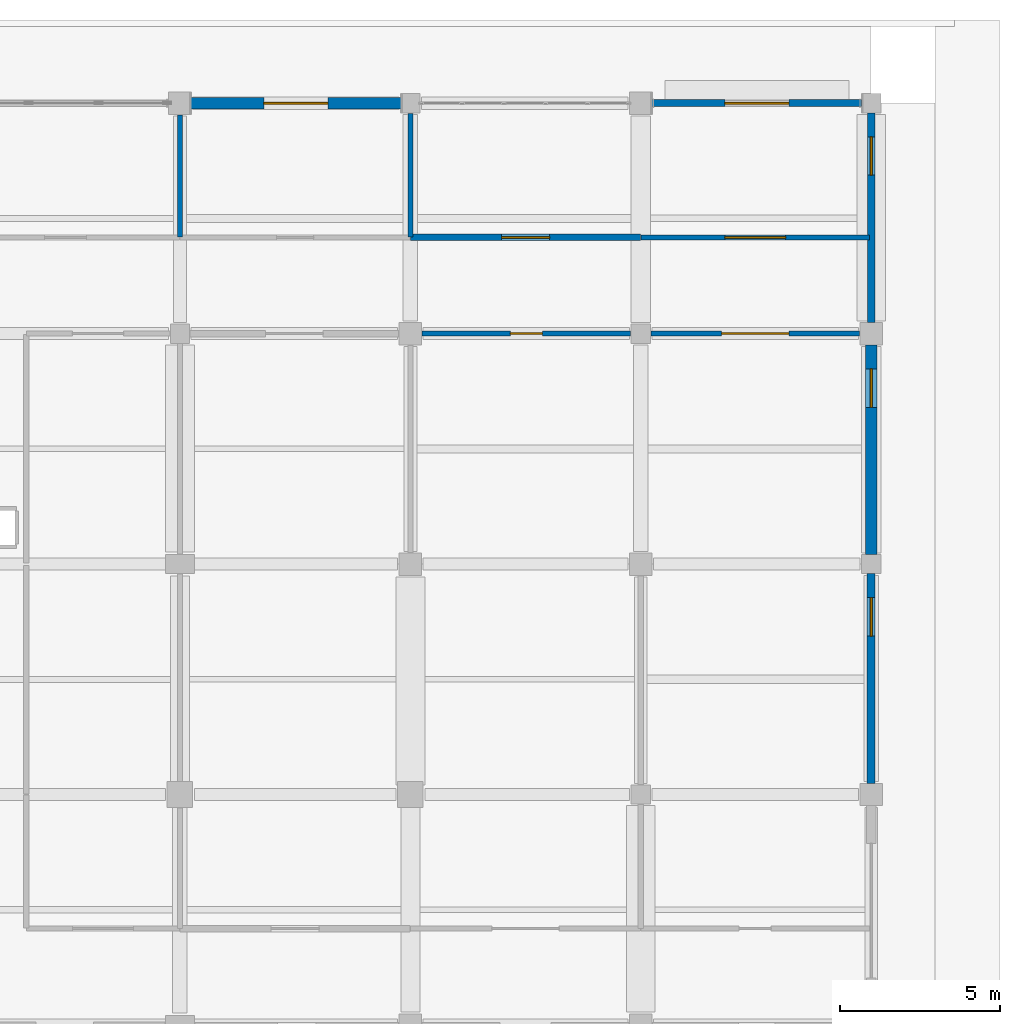
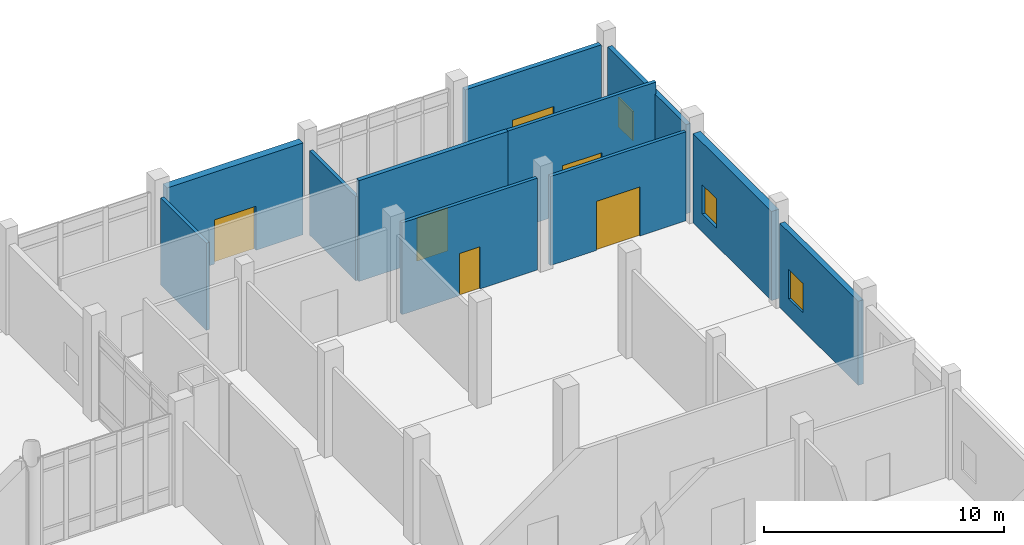
# One storey, part 202 of 229: 11 walls, 6 doors, 3 windows, 9 openings.
"""IFC4 building model written with IfcOpenShell, lengths in metres."""

from ifc_helpers import new_model, si_unit, direction, frame, frame_2d, origin, place, context, subcontext, project, spatial, rectangle, extrude, material, layer, layer_set, type_object, element, fill, save


model = new_model("IFC4")

# Units and contexts
model_context = context("Model", 3, precision=1e-05, world=origin(), true_north=direction((0.0, 1.0)))
body_context = subcontext(model_context, "Body", "Model", "MODEL_VIEW")
ifc_project = project(units=[si_unit("LENGTHUNIT", "METRE"), si_unit("AREAUNIT", "SQUARE_METRE"), si_unit("VOLUMEUNIT", "CUBIC_METRE"), si_unit("PLANEANGLEUNIT", "RADIAN"), si_unit("MASSUNIT", "GRAM", prefix="KILO")], contexts=[model_context])

# Site, building, storey
site_placement = place(None, origin())
site = spatial("IfcSite", under=ifc_project, at=site_placement, CompositionType="ELEMENT")
building_placement = place(site_placement, origin())
building = spatial("IfcBuilding", under=site, at=building_placement, Name="Calvrana Isthmian Art Gallery", CompositionType="ELEMENT")
storey_placement = place(building_placement, origin())
storey = spatial("IfcBuildingStorey", under=building, at=storey_placement, Name="L00", CompositionType="ELEMENT", Elevation=0.0)

# Wall, opening, door
ifc_material_1 = material(Name="Precast concrete C40/50", Category="concrete")
ifc_layer_1 = layer(ifc_material_1, 0.219970703125, Name="Precast concrete C40/50")
ifc_layer_set_1 = layer_set([ifc_layer_1], Name="Precast concrete C40/50")
wall_type_1 = type_object("IfcWallType", Name="EW-ACOUST-220", PredefinedType="SOLIDWALL", material=ifc_layer_set_1)
wall_1_placement = place(storey_placement, frame((156.35009765625, 112.800048828125, 0.0), z_axis=(0.0, 0.0, 1.0), x_axis=(1.0, 0.0, 0.0)))
wall_1 = element("IfcWall", 1, at=wall_1_placement, inside=storey, type_object=wall_type_1, Name="Exterior wall EW-027", PredefinedType="SOLIDWALL", context=body_context, shape_type="SweptSolid", body=[
    extrude(rectangle(XDim=6.5498046875, YDim=0.219970703125, at=frame_2d((3.27490234375, 0.0))), origin(), (0.0, 0.0, 1.0), 4.591064453125),
])
opening_1_placement = place(wall_1_placement, frame((2.27490234375, 0.0, 0.0)))
opening_1 = element("IfcOpeningElement", 2, at=opening_1_placement, cuts=wall_1, Name="Opening D-E18", PredefinedType="OPENING", context=body_context, shape_type="SweptSolid", body=[
    extrude(rectangle(XDim=2.0, YDim=2.25, at=frame_2d((1.0, 1.125))), frame((0.0, 0.1201171875, 0.0), z_axis=(0.0, -1.0, 0.0), x_axis=(1.0, 0.0, 0.0)), (0.0, 0.0, 1.0), 0.240478515625),
])
ifc_material_2 = material(Name="Steel ASTM A572 Gr 50", Category="steel")
door_type_1 = type_object("IfcDoorType", Name="DR-EXT-EXIT-2000", OperationType="DOUBLE_DOOR_SINGLE_SWING", PredefinedType="DOOR", material=ifc_material_2)
door_1_placement = place(opening_1_placement, origin())
door_1 = element("IfcDoor", 3, at=door_1_placement, inside=storey, type_object=door_type_1, Name="Main entrance pedestrian exit D-E18", OperationType="DOUBLE_DOOR_SINGLE_SWING", OverallHeight=2.25, OverallWidth=2.0, PredefinedType="DOOR", context=body_context, shape_type="SweptSolid", body=[
    extrude(rectangle(XDim=2.0, YDim=2.25, at=frame_2d((1.0, 1.125))), frame((0.0, 0.02490234375, 0.0), z_axis=(0.0, -1.0, 0.0), x_axis=(1.0, 0.0, 0.0)), (0.0, 0.0, 1.0), 0.050048828125),
])
fill(opening_1, door_1)

# Wall, opening, window
wall_2_placement = place(storey_placement, frame((163.199951171875, 112.5, 0.0), z_axis=(0.0, 0.0, 1.0), x_axis=(0.0, -1.0, 0.0)))
wall_2 = element("IfcWall", 4, at=wall_2_placement, inside=storey, type_object=wall_type_1, Name="Exterior wall EW-055", PredefinedType="SOLIDWALL", context=body_context, shape_type="SweptSolid", body=[
    extrude(rectangle(XDim=6.550048828125, YDim=0.219970703125, at=frame_2d((3.27490234375, 0.0))), origin(), (0.0, 0.0, 1.0), 4.5400390625),
])
opening_2_placement = place(wall_2_placement, frame((0.75, 0.0, 0.89990234375)))
opening_2 = element("IfcOpeningElement", 5, at=opening_2_placement, cuts=wall_2, Name="Opening W-023", PredefinedType="OPENING", context=body_context, shape_type="SweptSolid", body=[
    extrude(rectangle(XDim=1.199951171875, YDim=1.5, at=frame_2d((0.60009765625, 0.75))), frame((0.0, 0.1201171875, 0.0), z_axis=(0.0, -1.0, 0.0), x_axis=(1.0, 0.0, 0.0)), (0.0, 0.0, 1.0), 0.240478515625),
])
ifc_material_3 = material(Name="Low-E laminated solar glass", Category="glass")
window_type = type_object("IfcWindowType", Name="WN-G01", PartitioningType="SINGLE_PANEL", PredefinedType="WINDOW", material=ifc_material_3)
window_1_placement = place(opening_2_placement, origin())
window_1 = element("IfcWindow", 6, at=window_1_placement, inside=storey, type_object=window_type, Name="Facade window W-023", OverallHeight=1.5, OverallWidth=1.199951171875, PartitioningType="SINGLE_PANEL", PredefinedType="WINDOW", context=body_context, shape_type="SweptSolid", body=[
    extrude(rectangle(XDim=1.199951171875, YDim=1.5, at=frame_2d((0.60009765625, 0.75))), frame((0.0, 0.030029296875, 0.0), z_axis=(0.0, -1.0, 0.0), x_axis=(1.0, 0.0, 0.0)), (0.0, 0.0, 1.0), 0.06005859375),
])
fill(opening_2, window_1)

# Wall, opening, door
ifc_layer_2 = layer(ifc_material_1, 0.35009765625, Name="Precast concrete C40/50")
ifc_layer_set_2 = layer_set([ifc_layer_2], Name="Precast concrete C40/50")
wall_type_2 = type_object("IfcWallType", Name="EW-PREC-350", PredefinedType="SOLIDWALL", material=ifc_layer_set_2)
wall_3_placement = place(storey_placement, frame((141.949951171875, 112.800048828125, 0.0), z_axis=(0.0, 0.0, 1.0), x_axis=(1.0, 0.0, 0.0)))
wall_3 = element("IfcWall", 7, at=wall_3_placement, inside=storey, type_object=wall_type_2, Name="Exterior wall EW-026", PredefinedType="SOLIDWALL", context=body_context, shape_type="SweptSolid", body=[
    extrude(rectangle(XDim=6.550048828125, YDim=0.35009765625, at=frame_2d((3.27490234375, 0.0))), origin(), (0.0, 0.0, 1.0), 4.677978515625),
])
opening_3_placement = place(wall_3_placement, frame((2.27490234375, 0.0, 0.0)))
opening_3 = element("IfcOpeningElement", 8, at=opening_3_placement, cuts=wall_3, Name="Opening D-E17", PredefinedType="OPENING", context=body_context, shape_type="SweptSolid", body=[
    extrude(rectangle(XDim=2.0, YDim=2.25, at=frame_2d((1.0, 1.125))), frame((0.0, 0.185302734375, 0.0), z_axis=(0.0, -1.0, 0.0), x_axis=(1.0, 0.0, 0.0)), (0.0, 0.0, 1.0), 0.37060546875),
])
door_2_placement = place(opening_3_placement, origin())
door_2 = element("IfcDoor", 9, at=door_2_placement, inside=storey, type_object=door_type_1, Name="Main entrance pedestrian exit D-E17", OperationType="DOUBLE_DOOR_SINGLE_SWING", OverallHeight=2.25, OverallWidth=2.0, PredefinedType="DOOR", context=body_context, shape_type="SweptSolid", body=[
    extrude(rectangle(XDim=2.0, YDim=2.25, at=frame_2d((1.0, 1.125))), frame((0.0, 0.02490234375, 0.0), z_axis=(0.0, -1.0, 0.0), x_axis=(1.0, 0.0, 0.0)), (0.0, 0.0, 1.0), 0.050048828125),
])
fill(opening_3, door_2)

# Wall, opening, window
wall_4_placement = place(storey_placement, frame((163.199951171875, 105.25, 0.0), z_axis=(0.0, 0.0, 1.0), x_axis=(0.0, -1.0, 0.0)))
wall_4 = element("IfcWall", 10, at=wall_4_placement, inside=storey, type_object=wall_type_2, Name="Exterior wall EW-054", PredefinedType="SOLIDWALL", context=body_context, shape_type="SweptSolid", body=[
    extrude(rectangle(XDim=6.550048828125, YDim=0.35009765625, at=frame_2d((3.27490234375, 0.0))), origin(), (0.0, 0.0, 1.0), 4.5400390625),
])
opening_4_placement = place(wall_4_placement, frame((0.75, 0.0, 0.89990234375)))
opening_4 = element("IfcOpeningElement", 11, at=opening_4_placement, cuts=wall_4, Name="Opening W-022", PredefinedType="OPENING", context=body_context, shape_type="SweptSolid", body=[
    extrude(rectangle(XDim=1.199951171875, YDim=1.5, at=frame_2d((0.60009765625, 0.75))), frame((0.0, 0.185302734375, 0.0), z_axis=(0.0, -1.0, 0.0), x_axis=(1.0, 0.0, 0.0)), (0.0, 0.0, 1.0), 0.37060546875),
])
window_2_placement = place(opening_4_placement, origin())
window_2 = element("IfcWindow", 12, at=window_2_placement, inside=storey, type_object=window_type, Name="Facade window W-022", OverallHeight=1.5, OverallWidth=1.199951171875, PartitioningType="SINGLE_PANEL", PredefinedType="WINDOW", context=body_context, shape_type="SweptSolid", body=[
    extrude(rectangle(XDim=1.199951171875, YDim=1.5, at=frame_2d((0.60009765625, 0.75))), frame((0.0, 0.030029296875, 0.0), z_axis=(0.0, -1.0, 0.0), x_axis=(1.0, 0.0, 0.0)), (0.0, 0.0, 1.0), 0.06005859375),
])
fill(opening_4, window_2)

ifc_material_4 = material(Name="Polychrome glazed terracotta", Category="masonry")
ifc_layer_3 = layer(ifc_material_4, 0.25, Name="Polychrome glazed terracotta")
ifc_layer_set_3 = layer_set([ifc_layer_3], Name="Polychrome glazed terracotta")
wall_type_3 = type_object("IfcWallType", Name="EW-TERRA-250", PredefinedType="SOLIDWALL", material=ifc_layer_set_3)
wall_5_placement = place(storey_placement, frame((163.199951171875, 98.10009765625, 0.0), z_axis=(0.0, 0.0, 1.0), x_axis=(0.0, -1.0, 0.0)))
wall_5 = element("IfcWall", 13, at=wall_5_placement, inside=storey, type_object=wall_type_3, Name="Exterior wall EW-053", PredefinedType="SOLIDWALL", context=body_context, shape_type="SweptSolid", body=[
    extrude(rectangle(XDim=6.550048828125, YDim=0.25, at=frame_2d((3.27490234375, 0.0))), origin(), (0.0, 0.0, 1.0), 4.2900390625),
])
opening_5_placement = place(wall_5_placement, frame((0.75, 0.0, 0.89990234375)))
opening_5 = element("IfcOpeningElement", 14, at=opening_5_placement, cuts=wall_5, Name="Opening W-021", PredefinedType="OPENING", context=body_context, shape_type="SweptSolid", body=[
    extrude(rectangle(XDim=1.199951171875, YDim=1.5, at=frame_2d((0.60009765625, 0.75))), frame((0.0, 0.13525390625, 0.0), z_axis=(0.0, -1.0, 0.0), x_axis=(1.0, 0.0, 0.0)), (0.0, 0.0, 1.0), 0.2705078125),
])
window_3_placement = place(opening_5_placement, origin())
window_3 = element("IfcWindow", 15, at=window_3_placement, inside=storey, type_object=window_type, Name="Facade window W-021", OverallHeight=1.5, OverallWidth=1.199951171875, PartitioningType="SINGLE_PANEL", PredefinedType="WINDOW", context=body_context, shape_type="SweptSolid", body=[
    extrude(rectangle(XDim=1.199951171875, YDim=1.5, at=frame_2d((0.60009765625, 0.75))), frame((0.0, 0.030029296875, 0.0), z_axis=(0.0, -1.0, 0.0), x_axis=(1.0, 0.0, 0.0)), (0.0, 0.0, 1.0), 0.06005859375),
])
fill(opening_5, window_3)

# Wall, opening, door
ifc_material_5 = material(Name="Acoustic gypsum ceiling", Category="gypsum")
ifc_layer_4 = layer(ifc_material_5, 0.199951171875, Name="Acoustic gypsum ceiling")
ifc_layer_set_4 = layer_set([ifc_layer_4], Name="Acoustic gypsum ceiling")
wall_type_4 = type_object("IfcWallType", Name="PW-FIRE-200", PredefinedType="PARTITIONING", material=ifc_layer_set_4)
wall_6_placement = place(storey_placement, frame((148.81005859375, 108.610107421875, 0.0), z_axis=(0.0, 0.0, 1.0), x_axis=(1.0, 0.0, 0.0)))
wall_6 = element("IfcWall", 16, at=wall_6_placement, inside=storey, type_object=wall_type_4, Name="Interior partition PW-268", PredefinedType="PARTITIONING", context=body_context, shape_type="SweptSolid", body=[
    extrude(rectangle(XDim=7.179931640625, YDim=0.199951171875, at=frame_2d((3.58984375, 0.0))), origin(), (0.0, 0.0, 1.0), 5.139892578125),
])
opening_6_placement = place(wall_6_placement, frame((2.840087890625, 0.0, 0.0)))
opening_6 = element("IfcOpeningElement", 17, at=opening_6_placement, cuts=wall_6, Name="Opening D-328", PredefinedType="OPENING", context=body_context, shape_type="SweptSolid", body=[
    extrude(rectangle(XDim=1.5, YDim=2.199951171875, at=frame_2d((0.75, 1.10009765625))), frame((0.0, 0.1103515625, 0.0), z_axis=(0.0, -1.0, 0.0), x_axis=(1.0, 0.0, 0.0)), (0.0, 0.0, 1.0), 0.220458984375),
])
door_type_2 = type_object("IfcDoorType", Name="DR-STAIR-1500", OperationType="NOTDEFINED", PredefinedType="DOOR", material=ifc_material_2)
door_3_placement = place(opening_6_placement, origin())
door_3 = element("IfcDoor", 18, at=door_3_placement, inside=storey, type_object=door_type_2, Name="Interior door D-328", OperationType="SINGLE_SWING_RIGHT", OverallHeight=2.199951171875, OverallWidth=1.5, PredefinedType="DOOR", context=body_context, shape_type="SweptSolid", body=[
    extrude(rectangle(XDim=1.5, YDim=2.199951171875, at=frame_2d((0.75, 1.10009765625))), frame((0.0, 0.02490234375, 0.0), z_axis=(0.0, -1.0, 0.0), x_axis=(1.0, 0.0, 0.0)), (0.0, 0.0, 1.0), 0.050048828125),
])
fill(opening_6, door_3)

ifc_layer_5 = layer(ifc_material_5, 0.159912109375, Name="Acoustic gypsum ceiling")
ifc_layer_set_5 = layer_set([ifc_layer_5], Name="Acoustic gypsum ceiling")
wall_type_5 = type_object("IfcWallType", Name="PW-GAL-160", PredefinedType="PARTITIONING", material=ifc_layer_set_5)
wall_7_placement = place(storey_placement, frame((149.1650390625, 105.60009765625, 0.0), z_axis=(0.0, 0.0, 1.0), x_axis=(1.0, 0.0, 0.0)))
wall_7 = element("IfcWall", 19, at=wall_7_placement, inside=storey, type_object=wall_type_5, Name="Interior partition PW-262", PredefinedType="PARTITIONING", context=body_context, shape_type="SweptSolid", body=[
    extrude(rectangle(XDim=6.52001953125, YDim=0.159912109375, at=frame_2d((3.260009765625, 0.0))), origin(), (0.0, 0.0, 1.0), 4.677978515625),
])
opening_7_placement = place(wall_7_placement, frame((2.760009765625, 0.0, 0.0)))
opening_7 = element("IfcOpeningElement", 20, at=opening_7_placement, cuts=wall_7, Name="Opening D-324", PredefinedType="OPENING", context=body_context, shape_type="SweptSolid", body=[
    extrude(rectangle(XDim=1.0, YDim=2.14990234375, at=frame_2d((0.5, 1.074951171875))), frame((0.0, 0.09033203125, 0.0), z_axis=(0.0, -1.0, 0.0), x_axis=(1.0, 0.0, 0.0)), (0.0, 0.0, 1.0), 0.180419921875),
])
ifc_material_6 = material(Name="Timber gallery flooring", Category="wood")
door_type_3 = type_object("IfcDoorType", Name="DR-RM-1000", OperationType="NOTDEFINED", PredefinedType="DOOR", material=ifc_material_6)
door_4_placement = place(opening_7_placement, origin())
door_4 = element("IfcDoor", 21, at=door_4_placement, inside=storey, type_object=door_type_3, Name="Interior door D-324", OperationType="SINGLE_SWING_LEFT", OverallHeight=2.14990234375, OverallWidth=1.0, PredefinedType="DOOR", context=body_context, shape_type="SweptSolid", body=[
    extrude(rectangle(XDim=1.0, YDim=2.14990234375, at=frame_2d((0.5, 1.074951171875))), frame((0.0, 0.02490234375, 0.0), z_axis=(0.0, -1.0, 0.0), x_axis=(1.0, 0.0, 0.0)), (0.0, 0.0, 1.0), 0.050048828125),
])
fill(opening_7, door_4)

wall_8_placement = place(storey_placement, frame((156.31494140625, 105.60009765625, 0.0), z_axis=(0.0, 0.0, 1.0), x_axis=(1.0, 0.0, 0.0)))
wall_8 = element("IfcWall", 22, at=wall_8_placement, inside=storey, type_object=wall_type_5, Name="Interior partition PW-263", PredefinedType="PARTITIONING", context=body_context, shape_type="SweptSolid", body=[
    extrude(rectangle(XDim=6.52001953125, YDim=0.159912109375, at=frame_2d((3.260009765625, 0.0))), origin(), (0.0, 0.0, 1.0), 4.532958984375),
])
opening_8_placement = place(wall_8_placement, frame((2.2099609375, 0.0, 0.0)))
opening_8 = element("IfcOpeningElement", 23, at=opening_8_placement, cuts=wall_8, Name="Opening D-325", PredefinedType="OPENING", context=body_context, shape_type="SweptSolid", body=[
    extrude(rectangle(XDim=2.10009765625, YDim=2.5, at=frame_2d((1.050048828125, 1.25))), frame((0.0, 0.09033203125, 0.0), z_axis=(0.0, -1.0, 0.0), x_axis=(1.0, 0.0, 0.0)), (0.0, 0.0, 1.0), 0.180419921875),
])
door_type_4 = type_object("IfcDoorType", Name="DR-GAL-2100", OperationType="DOUBLE_DOOR_SINGLE_SWING", PredefinedType="DOOR", material=ifc_material_6)
door_5_placement = place(opening_8_placement, origin())
door_5 = element("IfcDoor", 24, at=door_5_placement, inside=storey, type_object=door_type_4, Name="Interior door D-325", OperationType="DOUBLE_DOOR_SINGLE_SWING", OverallHeight=2.5, OverallWidth=2.10009765625, PredefinedType="DOOR", context=body_context, shape_type="SweptSolid", body=[
    extrude(rectangle(XDim=2.10009765625, YDim=2.5, at=frame_2d((1.050048828125, 1.25))), frame((0.0, 0.02490234375, 0.0), z_axis=(0.0, -1.0, 0.0), x_axis=(1.0, 0.0, 0.0)), (0.0, 0.0, 1.0), 0.050048828125),
])
fill(opening_8, door_5)

# Walls
wall_9_placement = place(storey_placement, frame((141.60009765625, 108.6201171875, 0.0), z_axis=(0.0, 0.0, 1.0), x_axis=(0.0, 1.0, 0.0)))
element("IfcWall", 25, at=wall_9_placement, inside=storey, type_object=wall_type_5, Name="Interior partition PW-265", PredefinedType="PARTITIONING", context=body_context, shape_type="SweptSolid", body=[
    extrude(rectangle(XDim=3.81494140625, YDim=0.159912109375, at=frame_2d((1.907470703125, 0.0))), origin(), (0.0, 0.0, 1.0), 4.43994140625),
])
wall_10_placement = place(storey_placement, frame((148.800048828125, 108.6201171875, 0.0), z_axis=(0.0, 0.0, 1.0), x_axis=(0.0, 1.0, 0.0)))
element("IfcWall", 26, at=wall_10_placement, inside=storey, type_object=wall_type_5, Name="Interior partition PW-267", PredefinedType="PARTITIONING", context=body_context, shape_type="SweptSolid", body=[
    extrude(rectangle(XDim=3.864990234375, YDim=0.159912109375, at=frame_2d((1.9326171875, 0.0))), origin(), (0.0, 0.0, 1.0), 4.2900390625),
])

# Wall, opening, door
wall_11_placement = place(storey_placement, frame((156.010009765625, 108.610107421875, 0.0), z_axis=(0.0, 0.0, 1.0), x_axis=(1.0, 0.0, 0.0)))
wall_11 = element("IfcWall", 27, at=wall_11_placement, inside=storey, type_object=wall_type_5, Name="Interior partition PW-269", PredefinedType="PARTITIONING", context=body_context, shape_type="SweptSolid", body=[
    extrude(rectangle(XDim=7.1298828125, YDim=0.159912109375, at=frame_2d((3.56494140625, 0.0))), origin(), (0.0, 0.0, 1.0), 5.139892578125),
])
opening_9_placement = place(wall_11_placement, frame((2.614990234375, 0.0, 0.0)))
opening_9 = element("IfcOpeningElement", 28, at=opening_9_placement, cuts=wall_11, Name="Opening D-329", PredefinedType="OPENING", context=body_context, shape_type="SweptSolid", body=[
    extrude(rectangle(XDim=1.89990234375, YDim=2.449951171875, at=frame_2d((0.949951171875, 1.22509765625))), frame((0.0, 0.09033203125, 0.0), z_axis=(0.0, -1.0, 0.0), x_axis=(1.0, 0.0, 0.0)), (0.0, 0.0, 1.0), 0.180419921875),
])
door_type_5 = type_object("IfcDoorType", Name="DR-GAL-1900", OperationType="DOUBLE_DOOR_SINGLE_SWING", PredefinedType="DOOR", material=ifc_material_6)
door_6_placement = place(opening_9_placement, origin())
door_6 = element("IfcDoor", 29, at=door_6_placement, inside=storey, type_object=door_type_5, Name="Interior door D-329", OperationType="DOUBLE_DOOR_SINGLE_SWING", OverallHeight=2.449951171875, OverallWidth=1.89990234375, PredefinedType="DOOR", context=body_context, shape_type="SweptSolid", body=[
    extrude(rectangle(XDim=1.89990234375, YDim=2.449951171875, at=frame_2d((0.949951171875, 1.22509765625))), frame((0.0, 0.02490234375, 0.0), z_axis=(0.0, -1.0, 0.0), x_axis=(1.0, 0.0, 0.0)), (0.0, 0.0, 1.0), 0.050048828125),
])
fill(opening_9, door_6)

save(model, "model.ifc")
